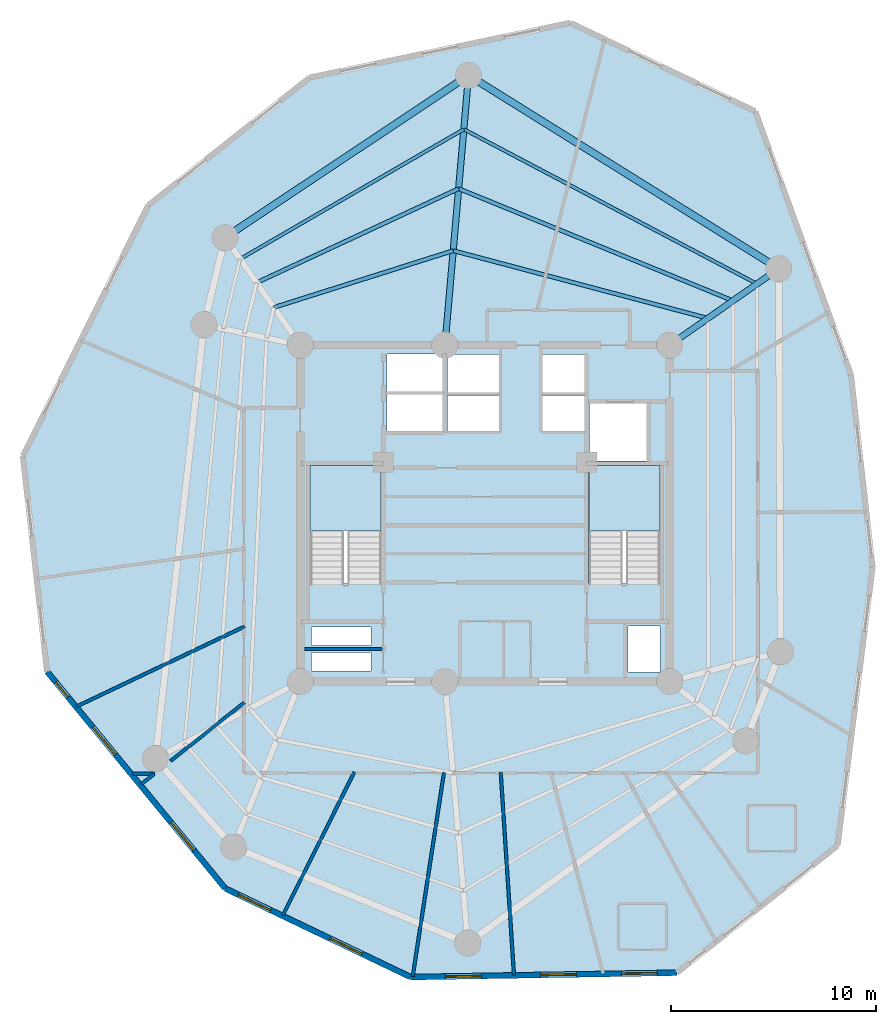
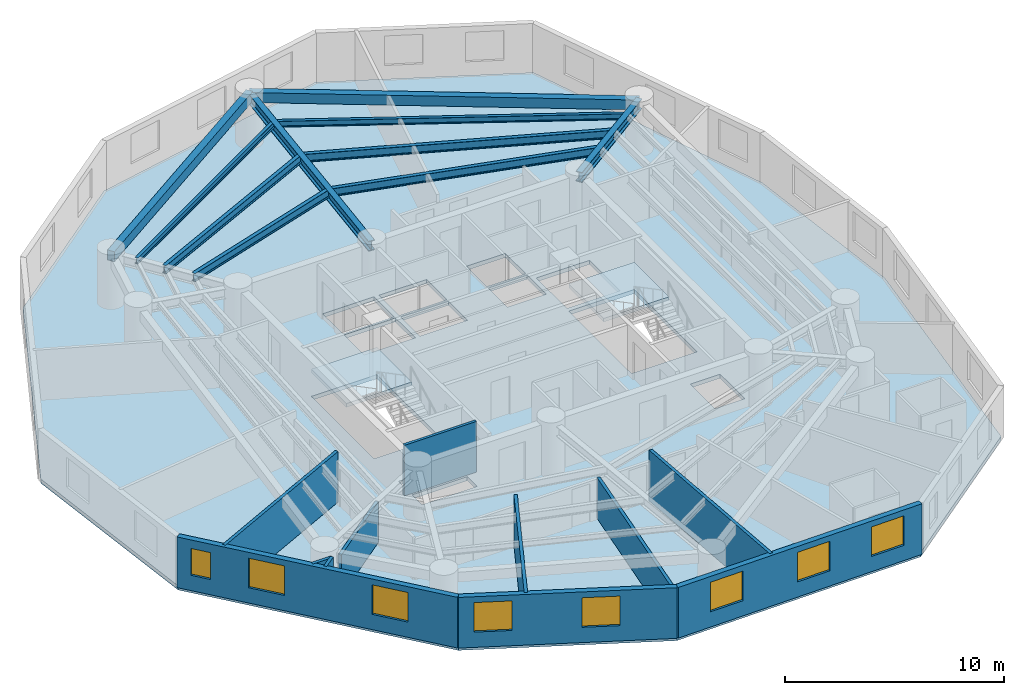
# One storey, part 2 of 7: 11 walls, 10 beams, 8 windows, 3 slabs, 8 openings, 2 elements without a shape of their own.
"""IFC4 building model written with IfcOpenShell, lengths in metres."""

from ifc_helpers import new_model, si_unit, direction, frame, frame_2d, origin, origin_with_axes, origin_2d, place, context, subcontext, project, spatial, polyline, rectangle, i_section, outline, extrude, source, transform, mapped, material, layer, layer_set, material_profile, profile_set, type_object, element, fill, aggregate, save


model = new_model("IFC4")

# Units and contexts
model_context = context("Model", 3, precision=1e-05, world=origin(), true_north=direction((0.0, 1.0)))
body_context = subcontext(model_context, "Body", "Model", "MODEL_VIEW")
ifc_project = project(units=[si_unit("LENGTHUNIT", "METRE"), si_unit("AREAUNIT", "SQUARE_METRE"), si_unit("VOLUMEUNIT", "CUBIC_METRE"), si_unit("PLANEANGLEUNIT", "RADIAN"), si_unit("MASSUNIT", "GRAM", prefix="KILO")], contexts=[model_context])

# Site, building, storey
site_placement = place(None, origin())
site = spatial("IfcSite", under=ifc_project, at=site_placement, CompositionType="ELEMENT")
building_placement = place(site_placement, origin())
building = spatial("IfcBuilding", under=site, at=building_placement, Name="Karkom Vertical University and Central Library", CompositionType="ELEMENT")
storey_placement = place(building_placement, frame((0.0, 0.0, 202.300048828125)))
storey = spatial("IfcBuildingStorey", under=building, at=storey_placement, Name="L59", CompositionType="ELEMENT", Elevation=202.300048828125)

# Beams
ifc_material_1 = material(Name="Precast concrete C45/55", Category="concrete")
ifc_material_profile_1 = material_profile(ifc_material_1, rectangle(XDim=0.35009765625, YDim=0.550048828125, at=origin_2d()), Name="SPB-350x550")
ifc_profile_set_1 = profile_set([ifc_material_profile_1], Name="Precast concrete C45/55")
beam_type_1 = type_object("IfcBeamType", Name="STR-BM-SP-2", PredefinedType="SPANDREL", material=ifc_profile_set_1)
shared_shape_1 = source(origin_with_axes(), body_context, "Body", "SweptSolid", [
    extrude(rectangle(XDim=0.35009765625, YDim=0.550048828125, at=origin_2d()), origin(), (0.0, 0.0, 1.0), 17.81884765625),
])
beam_1_placement = place(storey_placement, frame((42.823974609375, 38.427978515625, 2.550048828125), z_axis=(-0.848764070164, 0.528771740167, 0.0), x_axis=(-0.528771740167, -0.848764070164, 0.0)))
element("IfcBeam", 1, at=beam_1_placement, inside=storey, type_object=beam_type_1, Name="Level 59 Perimeter Spandrel Beam 02", PredefinedType="SPANDREL", context=body_context, shape_type="MappedRepresentation", body=[
    mapped(shared_shape_1, transform((0.0, 0.0, 0.0), scale=1.0)),
])
shared_shape_2 = source(origin_with_axes(), body_context, "Body", "SweptSolid", [
    extrude(rectangle(XDim=0.35009765625, YDim=0.550048828125, at=origin_2d()), origin(), (0.0, 0.0, 1.0), 14.26318359375),
])
beam_2_placement = place(storey_placement, frame((27.699951171875, 47.85009765625, 2.550048828125), z_axis=(-0.83227406272, -0.554364396876, 0.0), x_axis=(0.554364396876, -0.83227406272, 0.0)))
element("IfcBeam", 2, at=beam_2_placement, inside=storey, type_object=beam_type_1, Name="Level 59 Perimeter Spandrel Beam 03", PredefinedType="SPANDREL", context=body_context, shape_type="MappedRepresentation", body=[
    mapped(shared_shape_2, transform((0.0, 0.0, 0.0), scale=1.0)),
])
ifc_material_2 = material(Name="Steel S355", Category="steel")
ifc_material_profile_2 = material_profile(ifc_material_2, i_section(OverallWidth=0.18994140625, OverallDepth=0.449951171875, WebThickness=0.009521484375, FlangeThickness=0.0146484375, FilletRadius=0.02099609375, at=origin_2d()), Name="IPE 450")
ifc_profile_set_2 = profile_set([ifc_material_profile_2], Name="Steel S355")
beam_type_2 = type_object("IfcBeamType", Name="STR-BM-SB-IPE450", PredefinedType="BEAM", material=ifc_profile_set_2)
shared_shape_3 = source(origin_with_axes(), body_context, "Body", "SweptSolid", [
    extrude(i_section(OverallWidth=0.18994140625, OverallDepth=0.449951171875, WebThickness=0.009521484375, FlangeThickness=0.0146484375, FilletRadius=0.02099609375, at=origin_2d()), origin(), (0.0, 0.0, 1.0), 12.841552734375),
])
beam_3_placement = place(storey_placement, frame((39.36328125, 36.0048828125, 2.599853515625), z_axis=(-0.96646647674, 0.256792814032, 0.0), x_axis=(-0.256792814032, -0.96646647674, 0.0)))
element("IfcBeam", 3, at=beam_3_placement, inside=storey, type_object=beam_type_2, Name="Level 59 Secondary Composite Floor Beam 1.02", PredefinedType="BEAM", context=body_context, shape_type="MappedRepresentation", body=[
    mapped(shared_shape_3, transform((0.0, 0.0, 0.0), scale=1.0)),
])
shared_shape_4 = source(origin_with_axes(), body_context, "Body", "SweptSolid", [
    extrude(i_section(OverallWidth=0.18994140625, OverallDepth=0.449951171875, WebThickness=0.009521484375, FlangeThickness=0.0146484375, FilletRadius=0.02099609375, at=origin_2d()), origin(), (0.0, 0.0, 1.0), 9.1650390625),
])
beam_4_placement = place(storey_placement, frame((26.952392578125, 39.302490234375, 2.599853515625), z_axis=(-0.953318200449, -0.301967562319, 0.0), x_axis=(0.301967562319, -0.953318200449, 0.0)))
element("IfcBeam", 4, at=beam_4_placement, inside=storey, type_object=beam_type_2, Name="Level 59 Secondary Composite Floor Beam 1.03", PredefinedType="BEAM", context=body_context, shape_type="MappedRepresentation", body=[
    mapped(shared_shape_4, transform((0.0, 0.0, 0.0), scale=1.0)),
])
shared_shape_5 = source(origin_with_axes(), body_context, "Body", "SweptSolid", [
    extrude(i_section(OverallWidth=0.18994140625, OverallDepth=0.449951171875, WebThickness=0.009521484375, FlangeThickness=0.0146484375, FilletRadius=0.02099609375, at=origin_2d()), origin(), (0.0, 0.0, 1.0), 14.4443359375),
])
beam_5_placement = place(storey_placement, frame((40.587890625, 36.8623046875, 2.599853515625), z_axis=(-0.925675328736, 0.378318894281, 0.0), x_axis=(-0.378318894281, -0.925675328736, 0.0)))
element("IfcBeam", 5, at=beam_5_placement, inside=storey, type_object=beam_type_2, Name="Level 59 Secondary Composite Floor Beam 2.02", PredefinedType="BEAM", context=body_context, shape_type="MappedRepresentation", body=[
    mapped(shared_shape_5, transform((0.0, 0.0, 0.0), scale=1.0)),
])
shared_shape_6 = source(origin_with_axes(), body_context, "Body", "SweptSolid", [
    extrude(i_section(OverallWidth=0.18994140625, OverallDepth=0.449951171875, WebThickness=0.009521484375, FlangeThickness=0.0146484375, FilletRadius=0.02099609375, at=origin_2d()), origin(), (0.0, 0.0, 1.0), 10.86181640625),
])
beam_6_placement = place(storey_placement, frame((27.217041015625, 42.326904296875, 2.599853515625), z_axis=(-0.90649871419, -0.422208575436, 0.0), x_axis=(0.422208575436, -0.90649871419, 0.0)))
element("IfcBeam", 6, at=beam_6_placement, inside=storey, type_object=beam_type_2, Name="Level 59 Secondary Composite Floor Beam 2.03", PredefinedType="BEAM", context=body_context, shape_type="MappedRepresentation", body=[
    mapped(shared_shape_6, transform((0.0, 0.0, 0.0), scale=1.0)),
])
ifc_material_profile_3 = material_profile(ifc_material_2, i_section(OverallWidth=0.159912109375, OverallDepth=0.330078125, WebThickness=0.007568359375, FlangeThickness=0.011474609375, FilletRadius=0.01806640625, at=origin_2d()), Name="IPE 330")
ifc_profile_set_3 = profile_set([ifc_material_profile_3], Name="Steel S355")
beam_type_3 = type_object("IfcBeamType", Name="STR-BM-SB-IPE330", PredefinedType="BEAM", material=ifc_profile_set_3)
shared_shape_7 = source(origin_with_axes(), body_context, "Body", "SweptSolid", [
    extrude(i_section(OverallWidth=0.159912109375, OverallDepth=0.330078125, WebThickness=0.007568359375, FlangeThickness=0.011474609375, FilletRadius=0.01806640625, at=origin_2d()), origin(), (0.0, 0.0, 1.0), 16.155517578125),
])
beam_7_placement = place(storey_placement, frame((41.75927734375, 37.682373046875, 2.659912109375), z_axis=(-0.884486447848, 0.466565883423, 0.0), x_axis=(-0.466565883423, -0.884486447848, 0.0)))
element("IfcBeam", 7, at=beam_7_placement, inside=storey, type_object=beam_type_3, Name="Level 59 Secondary Composite Floor Beam 3.02", PredefinedType="BEAM", context=body_context, shape_type="MappedRepresentation", body=[
    mapped(shared_shape_7, transform((0.0, 0.0, 0.0), scale=1.0)),
])
shared_shape_8 = source(origin_with_axes(), body_context, "Body", "SweptSolid", [
    extrude(i_section(OverallWidth=0.159912109375, OverallDepth=0.330078125, WebThickness=0.007568359375, FlangeThickness=0.011474609375, FilletRadius=0.01806640625, at=origin_2d()), origin(), (0.0, 0.0, 1.0), 12.6083984375),
])
beam_8_placement = place(storey_placement, frame((27.469970703125, 45.219970703125, 2.659912109375), z_axis=(-0.865038920595, -0.50170475965, 0.0), x_axis=(0.50170475965, -0.865038920595, 0.0)))
element("IfcBeam", 8, at=beam_8_placement, inside=storey, type_object=beam_type_3, Name="Level 59 Secondary Composite Floor Beam 3.03", PredefinedType="BEAM", context=body_context, shape_type="MappedRepresentation", body=[
    mapped(shared_shape_8, transform((0.0, 0.0, 0.0), scale=1.0)),
])
ifc_material_profile_4 = material_profile(ifc_material_2, i_section(OverallWidth=0.300048828125, OverallDepth=0.550048828125, WebThickness=0.014892578125, FlangeThickness=0.029052734375, FilletRadius=0.027099609375, at=origin_2d()), Name="HE 550 B")
ifc_profile_set_4 = profile_set([ifc_material_profile_4], Name="Steel S355")
beam_type_4 = type_object("IfcBeamType", Name="STR-BM-SB-HE550", PredefinedType="USERDEFINED", material=ifc_profile_set_4)
shared_shape_9 = source(origin_with_axes(), body_context, "Body", "SweptSolid", [
    extrude(i_section(OverallWidth=0.300048828125, OverallDepth=0.550048828125, WebThickness=0.014892578125, FlangeThickness=0.029052734375, FilletRadius=0.027099609375, at=origin_2d()), origin(), (0.0, 0.0, 1.0), 6.49951171875),
])
beam_9_placement = place(storey_placement, frame((37.5, 34.699951171875, 2.550048828125), z_axis=(0.819141909878, 0.573590909517, 0.0), x_axis=(-0.573590909517, 0.819141909878, 0.0)))
element("IfcBeam", 9, at=beam_9_placement, inside=storey, type_object=beam_type_4, Name="Level 59 Radial Frame Girder 02", ObjectType="GIRDER", PredefinedType="USERDEFINED", context=body_context, shape_type="MappedRepresentation", body=[
    mapped(shared_shape_9, transform((0.0, 0.0, 0.0), scale=1.0)),
])
shared_shape_10 = source(origin_with_axes(), body_context, "Body", "SweptSolid", [
    extrude(i_section(OverallWidth=0.300048828125, OverallDepth=0.550048828125, WebThickness=0.014892578125, FlangeThickness=0.029052734375, FilletRadius=0.027099609375, at=origin_2d()), origin(), (0.0, 0.0, 1.0), 13.200439453125),
])
beam_10_placement = place(storey_placement, frame((26.550048828125, 34.699951171875, 2.550048828125), z_axis=(0.087111657164, 0.996198554098, 0.0), x_axis=(-0.996198554098, 0.087111657164, 0.0)))
element("IfcBeam", 10, at=beam_10_placement, inside=storey, type_object=beam_type_4, Name="Level 59 Radial Frame Girder 03", ObjectType="GIRDER", PredefinedType="USERDEFINED", context=body_context, shape_type="MappedRepresentation", body=[
    mapped(shared_shape_10, transform((0.0, 0.0, 0.0), scale=1.0)),
])

# Stair, slab
ifc_material_3 = material(Name="Concrete C45/55", Category="concrete")
stair_type = type_object("IfcStairType", Name="INT-STR-ST-MAIN", PredefinedType="HALF_TURN_STAIR", material=ifc_material_3)
stair_1_placement = place(storey_placement, origin())
stair_1 = element("IfcStair", 11, at=stair_1_placement, inside=storey, type_object=stair_type, Name="Level 59 Tower Protected Exit Stair ST-1", PredefinedType="HALF_TURN_STAIR")
ifc_layer_1 = layer(ifc_material_3, 0.199951171875)
ifc_layer_set_1 = layer_set([ifc_layer_1], Name="Concrete C45/55")
slab_type_1 = type_object("IfcSlabType", Name="INT-SLB-LANDING", PredefinedType="LANDING", material=ifc_layer_set_1)
slab_1_placement = place(storey_placement, frame((0.0, 0.0, 1.324951171875)))
slab_1 = element("IfcSlab", 12, at=slab_1_placement, type_object=slab_type_1, Name="ST-1 landing 1", PredefinedType="LANDING", context=body_context, shape_type="SweptSolid", body=[
    extrude(outline(polyline([(23.43994140625, 25.6298828125), (23.43994140625, 28.820068359375), (19.97998046875, 28.820068359375), (19.97998046875, 25.6298828125), (23.43994140625, 25.6298828125)])), origin(), (0.0, 0.0, 1.0), 0.199951171875),
])
aggregate(stair_1, [slab_1])

stair_2_placement = place(storey_placement, origin())
stair_2 = element("IfcStair", 13, at=stair_2_placement, inside=storey, type_object=stair_type, Name="Level 59 Tower Protected Exit Stair ST-2", PredefinedType="HALF_TURN_STAIR")
slab_2_placement = place(storey_placement, frame((0.0, 0.0, 1.324951171875)))
slab_2 = element("IfcSlab", 14, at=slab_2_placement, type_object=slab_type_1, Name="ST-2 landing 1", PredefinedType="LANDING", context=body_context, shape_type="SweptSolid", body=[
    extrude(outline(polyline([(37.02001953125, 25.6298828125), (37.02001953125, 28.820068359375), (33.56005859375, 28.820068359375), (33.56005859375, 25.6298828125), (37.02001953125, 25.6298828125)])), origin(), (0.0, 0.0, 1.0), 0.199951171875),
])
aggregate(stair_2, [slab_2])

# Slab
ifc_layer_2 = layer(ifc_material_3, 0.22509765625)
ifc_layer_set_2 = layer_set([ifc_layer_2], Name="Concrete C45/55")
slab_type_2 = type_object("IfcSlabType", Name="STR-SLB-FLR-225", PredefinedType="FLOOR", material=ifc_layer_set_2)
slab_3_placement = place(storey_placement, frame((0.0, 0.0, -0.22509765625)))
element("IfcSlab", 15, at=slab_3_placement, inside=storey, type_object=slab_type_2, Name="Level 59 Tower Structural Floor Slab", PredefinedType="FLOOR", context=body_context, shape_type="SweptSolid", body=[
    extrude(outline(polyline([(5.977294921875, 29.293701171875), (7.156005859375, 18.785888671875), (15.84130859375, 8.214111328125), (24.8720703125, 3.89599609375), (37.852294921875, 4.107421875), (45.685302734375, 10.305908203125), (47.391357421875, 23.869384765625), (46.339111328125, 33.250732421875), (41.67041015625, 46.09912109375), (32.658935546875, 50.408203125), (19.9541015625, 47.738525390625), (12.1044921875, 41.52685546875), (5.977294921875, 29.293701171875)]), holes=[polyline([(19.97998046875, 23.0849609375), (23.43994140625, 23.0849609375), (23.43994140625, 28.820068359375), (19.97998046875, 28.820068359375), (19.97998046875, 23.0849609375)]), polyline([(33.56005859375, 23.0849609375), (37.02001953125, 23.0849609375), (37.02001953125, 28.820068359375), (33.56005859375, 28.820068359375), (33.56005859375, 23.0849609375)]), polyline([(26.679931640625, 30.5), (29.199951171875, 30.5), (29.199951171875, 32.25), (26.679931640625, 32.25), (26.679931640625, 30.5)]), polyline([(26.679931640625, 32.39990234375), (29.199951171875, 32.39990234375), (29.199951171875, 34.25), (26.679931640625, 34.25), (26.679931640625, 32.39990234375)]), polyline([(31.300048828125, 30.5), (33.35009765625, 30.5), (33.35009765625, 32.25), (31.300048828125, 32.25), (31.300048828125, 30.5)]), polyline([(31.300048828125, 32.39990234375), (33.35009765625, 32.39990234375), (33.35009765625, 34.25), (31.300048828125, 34.25), (31.300048828125, 32.39990234375)]), polyline([(23.719970703125, 30.47998046875), (26.429931640625, 30.47998046875), (26.429931640625, 32.320068359375), (23.719970703125, 32.320068359375), (23.719970703125, 30.47998046875)]), polyline([(23.719970703125, 32.419921875), (26.429931640625, 32.419921875), (26.429931640625, 34.260009765625), (23.719970703125, 34.260009765625), (23.719970703125, 32.419921875)]), polyline([(33.60009765625, 29.050048828125), (36.39990234375, 29.050048828125), (36.39990234375, 31.85009765625), (33.60009765625, 31.85009765625), (33.60009765625, 29.050048828125)]), polyline([(20.050048828125, 18.820068359375), (22.949951171875, 18.820068359375), (22.949951171875, 19.719970703125), (20.050048828125, 19.719970703125), (20.050048828125, 18.820068359375)]), polyline([(20.050048828125, 20.06005859375), (22.949951171875, 20.06005859375), (22.949951171875, 20.9599609375), (20.050048828125, 20.9599609375), (20.050048828125, 20.06005859375)]), polyline([(35.4599609375, 18.760009765625), (37.0400390625, 18.760009765625), (37.0400390625, 21.010009765625), (35.4599609375, 21.010009765625), (35.4599609375, 18.760009765625)])]), origin(), (0.0, 0.0, 1.0), 0.22509765625),
])

# Wall, openings, windows
ifc_material_4 = material(Name="Brick-faced precast concrete C45/55", Category="masonry")
ifc_layer_3 = layer(ifc_material_4, 0.280029296875)
ifc_layer_set_3 = layer_set([ifc_layer_3], Name="Brick-faced precast concrete C45/55")
wall_type_1 = type_object("IfcWallType", Name="ENV-WL-BRK-280", PredefinedType="SOLIDWALL", material=ifc_layer_set_3)
wall_1_placement = place(storey_placement, frame((7.156005859375, 18.785888671875, 0.0), z_axis=(0.0, 0.0, 1.0), x_axis=(0.634798022488, -0.772678115806, 0.0)))
wall_1 = element("IfcWall", 16, at=wall_1_placement, inside=storey, type_object=wall_type_1, Name="Level 59 Brick-Faced Precast Facade Wall 02", PredefinedType="SOLIDWALL", context=body_context, shape_type="SweptSolid", body=[
    extrude(rectangle(XDim=13.681884765625, YDim=0.280029296875, at=frame_2d((6.8408203125, 0.0))), origin(), (0.0, 0.0, 1.0), 2.824951171875),
])
opening_1_placement = place(wall_1_placement, frame((0.672607421875, 0.0, 0.85009765625)))
opening_1 = element("IfcOpeningElement", 17, at=opening_1_placement, cuts=wall_1, Name="Opening WN-12", PredefinedType="OPENING", context=body_context, shape_type="SweptSolid", body=[
    extrude(rectangle(XDim=0.949951171875, YDim=1.5, at=frame_2d((0.47509765625, 0.75))), frame((0.0, 0.14990234375, 0.0), z_axis=(0.0, -1.0, 0.0), x_axis=(1.0, 0.0, 0.0)), (0.0, 0.0, 1.0), 0.300048828125),
])
opening_2_placement = place(wall_1_placement, frame((3.493896484375, 0.0, 0.85009765625)))
opening_2 = element("IfcOpeningElement", 18, at=opening_2_placement, cuts=wall_1, Name="Opening WN-08", PredefinedType="OPENING", context=body_context, shape_type="SweptSolid", body=[
    extrude(rectangle(XDim=1.75, YDim=1.64990234375, at=frame_2d((0.875, 0.824951171875))), frame((0.0, 0.14990234375, 0.0), z_axis=(0.0, -1.0, 0.0), x_axis=(1.0, 0.0, 0.0)), (0.0, 0.0, 1.0), 0.300048828125),
])
opening_3_placement = place(wall_1_placement, frame((9.513671875, 0.0, 0.85009765625)))
opening_3 = element("IfcOpeningElement", 19, at=opening_3_placement, cuts=wall_1, Name="Opening WN-08", PredefinedType="OPENING", context=body_context, shape_type="SweptSolid", body=[
    extrude(rectangle(XDim=1.75, YDim=1.64990234375, at=frame_2d((0.875, 0.824951171875))), frame((0.0, 0.14990234375, 0.0), z_axis=(0.0, -1.0, 0.0), x_axis=(1.0, 0.0, 0.0)), (0.0, 0.0, 1.0), 0.300048828125),
])
ifc_material_5 = material(Name="Aluminium thermal-break frame with solar-control IGU", Category="aluminium")
window_type_1 = type_object("IfcWindowType", Name="ENV-WIN-WN-12", PartitioningType="SINGLE_PANEL", PredefinedType="WINDOW", material=ifc_material_5)
shared_shape_11 = source(origin_with_axes(), body_context, "Body", "SweptSolid", [
    extrude(rectangle(XDim=0.949951171875, YDim=1.5, at=frame_2d((0.47509765625, 0.75))), frame((0.0, 0.030029296875, 0.0), z_axis=(0.0, -1.0, 0.0), x_axis=(1.0, 0.0, 0.0)), (0.0, 0.0, 1.0), 0.06005859375),
])
window_1_placement = place(opening_1_placement, origin())
window_1 = element("IfcWindow", 20, at=window_1_placement, inside=storey, type_object=window_type_1, Name="Level 59 Punched Window 2.1", OverallHeight=1.5, OverallWidth=0.949951171875, PartitioningType="SINGLE_PANEL", PredefinedType="WINDOW", context=body_context, shape_type="MappedRepresentation", body=[
    mapped(shared_shape_11, transform((0.0, 0.0, 0.0), scale=1.0)),
])
fill(opening_1, window_1)
window_type_2 = type_object("IfcWindowType", Name="ENV-WIN-WN-08", PartitioningType="SINGLE_PANEL", PredefinedType="WINDOW", material=ifc_material_5)
shared_shape_12 = source(origin_with_axes(), body_context, "Body", "SweptSolid", [
    extrude(rectangle(XDim=1.75, YDim=1.64990234375, at=frame_2d((0.875, 0.824951171875))), frame((0.0, 0.030029296875, 0.0), z_axis=(0.0, -1.0, 0.0), x_axis=(1.0, 0.0, 0.0)), (0.0, 0.0, 1.0), 0.06005859375),
])
window_2_placement = place(opening_2_placement, origin())
window_2 = element("IfcWindow", 21, at=window_2_placement, inside=storey, type_object=window_type_2, Name="Level 59 Punched Window 2.2", OverallHeight=1.64990234375, OverallWidth=1.75, PartitioningType="SINGLE_PANEL", PredefinedType="WINDOW", context=body_context, shape_type="MappedRepresentation", body=[
    mapped(shared_shape_12, transform((0.0, 0.0, 0.0), scale=1.0)),
])
fill(opening_2, window_2)
window_3_placement = place(opening_3_placement, origin())
window_3 = element("IfcWindow", 22, at=window_3_placement, inside=storey, type_object=window_type_2, Name="Level 59 Punched Window 2.3", OverallHeight=1.64990234375, OverallWidth=1.75, PartitioningType="SINGLE_PANEL", PredefinedType="WINDOW", context=body_context, shape_type="MappedRepresentation", body=[
    mapped(shared_shape_12, transform((0.0, 0.0, 0.0), scale=1.0)),
])
fill(opening_3, window_3)

wall_2_placement = place(storey_placement, frame((15.84130859375, 8.214111328125, 0.0), z_axis=(0.0, 0.0, 1.0), x_axis=(0.902170952841, -0.431378687291, 0.0)))
wall_2 = element("IfcWall", 23, at=wall_2_placement, inside=storey, type_object=wall_type_1, Name="Level 59 Brick-Faced Precast Facade Wall 03", PredefinedType="SOLIDWALL", context=body_context, shape_type="SweptSolid", body=[
    extrude(rectangle(XDim=10.010009765625, YDim=0.280029296875, at=frame_2d((5.0048828125, 0.0))), origin(), (0.0, 0.0, 1.0), 2.824951171875),
])
opening_4_placement = place(wall_2_placement, frame((0.703857421875, 0.0, 0.85009765625)))
opening_4 = element("IfcOpeningElement", 24, at=opening_4_placement, cuts=wall_2, Name="Opening WN-08", PredefinedType="OPENING", context=body_context, shape_type="SweptSolid", body=[
    extrude(rectangle(XDim=1.75, YDim=1.64990234375, at=frame_2d((0.875, 0.824951171875))), frame((0.0, 0.14990234375, 0.0), z_axis=(0.0, -1.0, 0.0), x_axis=(1.0, 0.0, 0.0)), (0.0, 0.0, 1.0), 0.300048828125),
])
opening_5_placement = place(wall_2_placement, frame((5.64892578125, 0.0, 0.85009765625)))
opening_5 = element("IfcOpeningElement", 25, at=opening_5_placement, cuts=wall_2, Name="Opening WN-08", PredefinedType="OPENING", context=body_context, shape_type="SweptSolid", body=[
    extrude(rectangle(XDim=1.75, YDim=1.64990234375, at=frame_2d((0.875, 0.824951171875))), frame((0.0, 0.14990234375, 0.0), z_axis=(0.0, -1.0, 0.0), x_axis=(1.0, 0.0, 0.0)), (0.0, 0.0, 1.0), 0.300048828125),
])
window_4_placement = place(opening_4_placement, origin())
window_4 = element("IfcWindow", 26, at=window_4_placement, inside=storey, type_object=window_type_2, Name="Level 59 Punched Window 3.1", OverallHeight=1.64990234375, OverallWidth=1.75, PartitioningType="SINGLE_PANEL", PredefinedType="WINDOW", context=body_context, shape_type="MappedRepresentation", body=[
    mapped(shared_shape_12, transform((0.0, 0.0, 0.0), scale=1.0)),
])
fill(opening_4, window_4)
window_5_placement = place(opening_5_placement, origin())
window_5 = element("IfcWindow", 27, at=window_5_placement, inside=storey, type_object=window_type_2, Name="Level 59 Punched Window 3.2", OverallHeight=1.64990234375, OverallWidth=1.75, PartitioningType="SINGLE_PANEL", PredefinedType="WINDOW", context=body_context, shape_type="MappedRepresentation", body=[
    mapped(shared_shape_12, transform((0.0, 0.0, 0.0), scale=1.0)),
])
fill(opening_5, window_5)

wall_3_placement = place(storey_placement, frame((24.8720703125, 3.89599609375, 0.0), z_axis=(0.0, 0.0, 1.0), x_axis=(0.999867372046, 0.016286138849, 0.0)))
wall_3 = element("IfcWall", 28, at=wall_3_placement, inside=storey, type_object=wall_type_1, Name="Level 59 Brick-Faced Precast Facade Wall 04", PredefinedType="SOLIDWALL", context=body_context, shape_type="SweptSolid", body=[
    extrude(rectangle(XDim=12.98193359375, YDim=0.280029296875, at=frame_2d((6.490966796875, 0.0))), origin(), (0.0, 0.0, 1.0), 2.824951171875),
])
opening_6_placement = place(wall_3_placement, frame((1.702392578125, 0.0, 0.85009765625)))
opening_6 = element("IfcOpeningElement", 29, at=opening_6_placement, cuts=wall_3, Name="Opening WN-08", PredefinedType="OPENING", context=body_context, shape_type="SweptSolid", body=[
    extrude(rectangle(XDim=1.75, YDim=1.64990234375, at=frame_2d((0.875, 0.824951171875))), frame((0.0, 0.14990234375, 0.0), z_axis=(0.0, -1.0, 0.0), x_axis=(1.0, 0.0, 0.0)), (0.0, 0.0, 1.0), 0.300048828125),
])
opening_7_placement = place(wall_3_placement, frame((6.336181640625, 0.0, 0.85009765625)))
opening_7 = element("IfcOpeningElement", 30, at=opening_7_placement, cuts=wall_3, Name="Opening WN-08", PredefinedType="OPENING", context=body_context, shape_type="SweptSolid", body=[
    extrude(rectangle(XDim=1.75, YDim=1.64990234375, at=frame_2d((0.875, 0.824951171875))), frame((0.0, 0.14990234375, 0.0), z_axis=(0.0, -1.0, 0.0), x_axis=(1.0, 0.0, 0.0)), (0.0, 0.0, 1.0), 0.300048828125),
])
opening_8_placement = place(wall_3_placement, frame((10.2763671875, 0.0, 0.85009765625)))
opening_8 = element("IfcOpeningElement", 31, at=opening_8_placement, cuts=wall_3, Name="Opening WN-08", PredefinedType="OPENING", context=body_context, shape_type="SweptSolid", body=[
    extrude(rectangle(XDim=1.75, YDim=1.64990234375, at=frame_2d((0.875, 0.824951171875))), frame((0.0, 0.14990234375, 0.0), z_axis=(0.0, -1.0, 0.0), x_axis=(1.0, 0.0, 0.0)), (0.0, 0.0, 1.0), 0.300048828125),
])
window_6_placement = place(opening_6_placement, origin())
window_6 = element("IfcWindow", 32, at=window_6_placement, inside=storey, type_object=window_type_2, Name="Level 59 Punched Window 4.1", OverallHeight=1.64990234375, OverallWidth=1.75, PartitioningType="SINGLE_PANEL", PredefinedType="WINDOW", context=body_context, shape_type="MappedRepresentation", body=[
    mapped(shared_shape_12, transform((0.0, 0.0, 0.0), scale=1.0)),
])
fill(opening_6, window_6)
window_7_placement = place(opening_7_placement, origin())
window_7 = element("IfcWindow", 33, at=window_7_placement, inside=storey, type_object=window_type_2, Name="Level 59 Punched Window 4.2", OverallHeight=1.64990234375, OverallWidth=1.75, PartitioningType="SINGLE_PANEL", PredefinedType="WINDOW", context=body_context, shape_type="MappedRepresentation", body=[
    mapped(shared_shape_12, transform((0.0, 0.0, 0.0), scale=1.0)),
])
fill(opening_7, window_7)
window_8_placement = place(opening_8_placement, origin())
window_8 = element("IfcWindow", 34, at=window_8_placement, inside=storey, type_object=window_type_2, Name="Level 59 Punched Window 4.3", OverallHeight=1.64990234375, OverallWidth=1.75, PartitioningType="SINGLE_PANEL", PredefinedType="WINDOW", context=body_context, shape_type="MappedRepresentation", body=[
    mapped(shared_shape_12, transform((0.0, 0.0, 0.0), scale=1.0)),
])
fill(opening_8, window_8)

# Walls
ifc_material_6 = material(Name="Insulated metal-stud drywall 160mm", Category="gypsum")
ifc_layer_4 = layer(ifc_material_6, 0.159912109375)
ifc_layer_set_4 = layer_set([ifc_layer_4], Name="Insulated metal-stud drywall 160mm")
wall_type_2 = type_object("IfcWallType", Name="INT-WL-COR-160", PredefinedType="PARTITIONING", material=ifc_layer_set_4)
wall_4_placement = place(storey_placement, frame((26.5048828125, 13.879638671875, 0.0), z_axis=(0.0, 0.0, 1.0), x_axis=(-0.151516203812, -0.988454773868, 0.0)))
element("IfcWall", 35, at=wall_4_placement, inside=storey, type_object=wall_type_2, Name="Level 59 Interior Partition Wall L59-PW-007", PredefinedType="PARTITIONING", context=body_context, shape_type="SweptSolid", body=[
    extrude(rectangle(XDim=10.072265625, YDim=0.159912109375, at=frame_2d((5.0361328125, 0.0))), origin(), (0.0, 0.0, 1.0), 2.27490234375),
])
wall_5_placement = place(storey_placement, frame((29.26611328125, 13.89501953125, 0.0), z_axis=(0.0, 0.0, 1.0), x_axis=(0.065387815135, -0.997859926859, 0.0)))
element("IfcWall", 36, at=wall_5_placement, inside=storey, type_object=wall_type_2, Name="Level 59 Interior Partition Wall L59-PW-008", PredefinedType="PARTITIONING", context=body_context, shape_type="SweptSolid", body=[
    extrude(rectangle(XDim=9.9130859375, YDim=0.159912109375, at=frame_2d((4.95654296875, 0.0))), origin(), (0.0, 0.0, 1.0), 2.824951171875),
])
wall_6_placement = place(storey_placement, frame((16.79052734375, 20.988525390625, 0.0), z_axis=(0.0, 0.0, 1.0), x_axis=(-0.902800890164, -0.430058778213, 0.0)))
element("IfcWall", 37, at=wall_6_placement, inside=storey, type_object=wall_type_2, Name="Level 59 Interior Partition Wall L59-PW-001", PredefinedType="PARTITIONING", context=body_context, shape_type="SweptSolid", body=[
    extrude(rectangle(XDim=9.0830078125, YDim=0.159912109375, at=frame_2d((4.54150390625, 0.0))), origin(), (0.0, 0.0, 1.0), 2.824951171875),
])
wall_7_placement = place(storey_placement, frame((22.13623046875, 13.89013671875, 0.0), z_axis=(0.0, 0.0, 1.0), x_axis=(-0.44675103464, -0.894658321958, 0.0)))
element("IfcWall", 38, at=wall_7_placement, inside=storey, type_object=wall_type_2, Name="Level 59 Interior Partition Wall L59-PW-006", PredefinedType="PARTITIONING", context=body_context, shape_type="SweptSolid", body=[
    extrude(rectangle(XDim=7.8125, YDim=0.159912109375, at=frame_2d((3.90625, 0.0))), origin(), (0.0, 0.0, 1.0), 2.824951171875),
])
wall_8_placement = place(storey_placement, frame((16.7734375, 17.28173828125, 0.0), z_axis=(0.0, 0.0, 1.0), x_axis=(-0.783662831653, -0.621186418304, 0.0)))
element("IfcWall", 39, at=wall_8_placement, inside=storey, type_object=wall_type_2, Name="Level 59 Interior Partition Wall L59-PW-003", PredefinedType="PARTITIONING", context=body_context, shape_type="SweptSolid", body=[
    extrude(rectangle(XDim=4.590576171875, YDim=0.159912109375, at=frame_2d((2.29541015625, 0.0))), origin(), (0.0, 0.0, 1.0), 2.27490234375),
])
wall_9_placement = place(storey_placement, frame((11.33544921875, 13.803955078125, 0.0), z_axis=(0.0, 0.0, 1.0), x_axis=(1.0, 0.0, 0.0)))
element("IfcWall", 40, at=wall_9_placement, inside=storey, type_object=wall_type_2, Name="Level 59 Interior Partition Wall L59-PW-004", PredefinedType="PARTITIONING", context=body_context, shape_type="SweptSolid", body=[
    extrude(rectangle(XDim=1.050537109375, YDim=0.159912109375, at=frame_2d((0.525390625, 0.0))), origin(), (0.0, 0.0, 1.0), 2.824951171875),
])
wall_10_placement = place(storey_placement, frame((12.385986328125, 13.803955078125, 0.0), z_axis=(0.0, 0.0, 1.0), x_axis=(-0.78368287968, -0.621161125713, 0.0)))
element("IfcWall", 41, at=wall_10_placement, inside=storey, type_object=wall_type_2, Name="Level 59 Interior Partition Wall L59-PW-005", PredefinedType="PARTITIONING", context=body_context, shape_type="SweptSolid", body=[
    extrude(rectangle(XDim=0.818603515625, YDim=0.159912109375, at=frame_2d((0.4091796875, 0.0))), origin(), (0.0, 0.0, 1.0), 2.824951171875),
])
ifc_material_7 = material(Name="Metal-stud gypsum partition 140mm", Category="gypsum")
ifc_layer_5 = layer(ifc_material_7, 0.139892578125)
ifc_layer_set_5 = layer_set([ifc_layer_5], Name="Metal-stud gypsum partition 140mm")
wall_type_3 = type_object("IfcWallType", Name="INT-WL-SUB-140H", PredefinedType="PARTITIONING", material=ifc_layer_set_5)
wall_11_placement = place(storey_placement, frame((19.70703125, 19.889892578125, 0.0), z_axis=(0.0, 0.0, 1.0), x_axis=(1.0, 0.0, 0.0)))
element("IfcWall", 42, at=wall_11_placement, inside=storey, type_object=wall_type_3, Name="Level 59 Interior Partition Wall L59-CW-RIS-W", PredefinedType="PARTITIONING", context=body_context, shape_type="SweptSolid", body=[
    extrude(rectangle(XDim=3.789794921875, YDim=0.139892578125, at=frame_2d((1.89501953125, 0.0))), origin(), (0.0, 0.0, 1.0), 2.824951171875),
])

save(model, "model.ifc")
